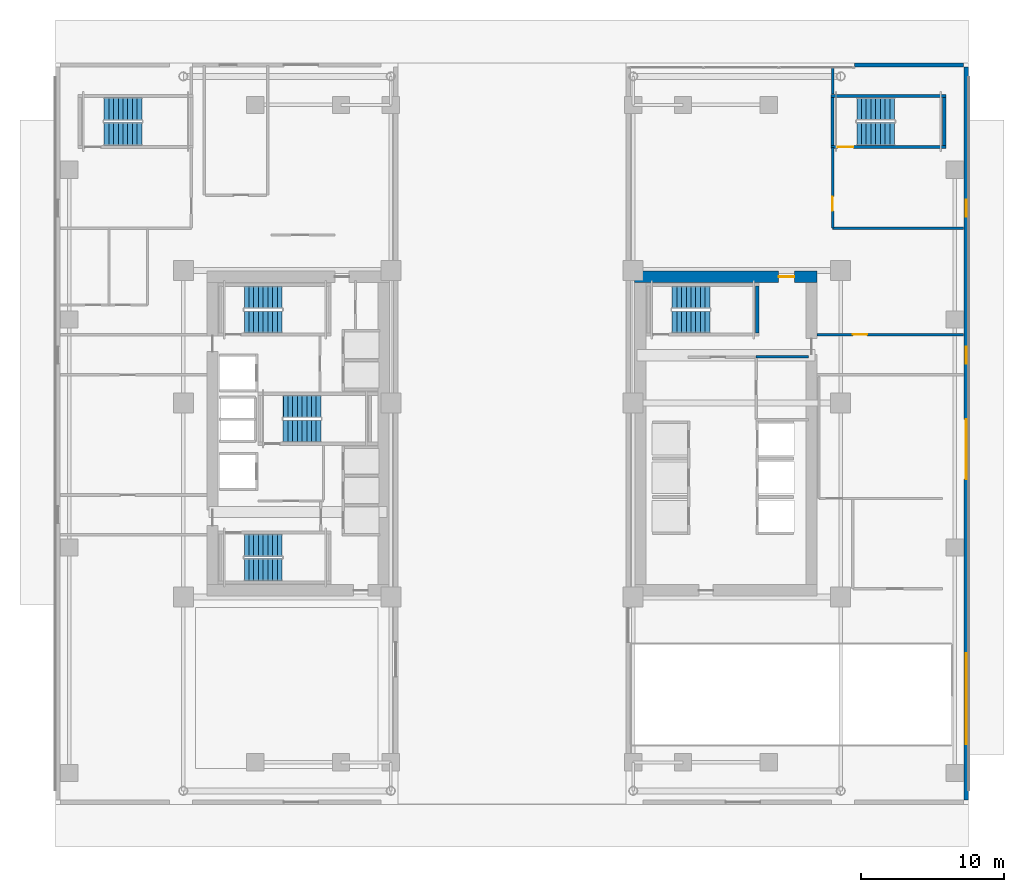
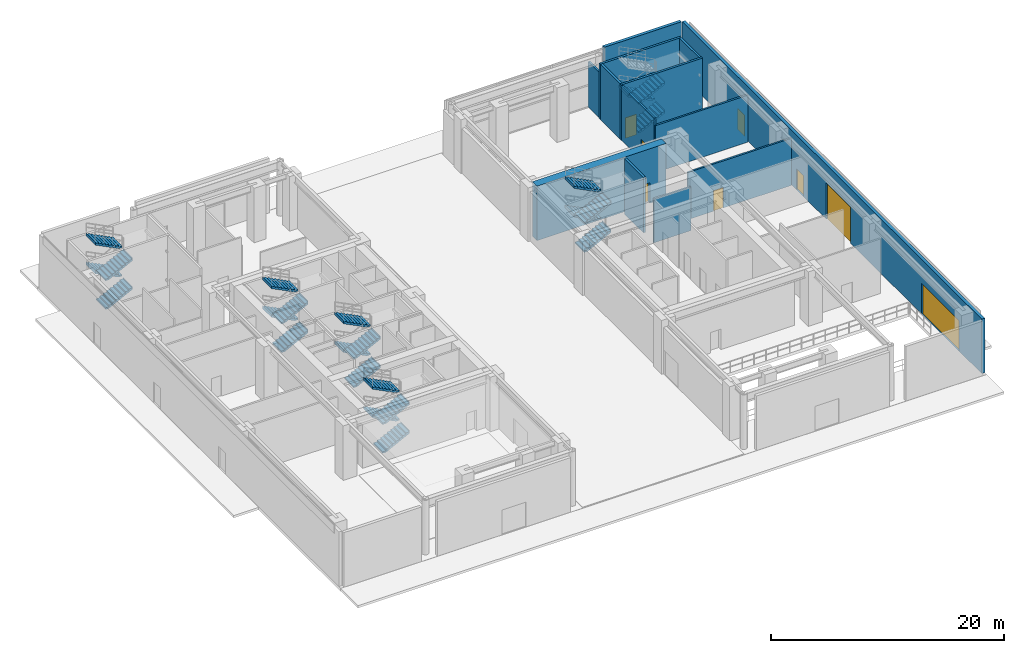
# One storey, part 8 of 17: 23 stair flights, 13 walls, 8 doors, 8 openings, 6 elements without a shape of their own.
"""IFC4 building model written with IfcOpenShell, lengths in metres."""

from ifc_helpers import new_model, si_unit, direction, frame, frame_2d, origin, place, context, subcontext, project, spatial, polyline, rectangle, outline, extrude, source, transform, mapped, material, layer, layer_set, type_object, element, fill, aggregate, save


model = new_model("IFC4")

# Units and contexts
model_context = context("Model", 3, precision=1e-05, world=origin(), true_north=direction((0.0, 1.0)))
body_context = subcontext(model_context, "Body", "Model", "MODEL_VIEW")
ifc_project = project(units=[si_unit("LENGTHUNIT", "METRE"), si_unit("AREAUNIT", "SQUARE_METRE"), si_unit("VOLUMEUNIT", "CUBIC_METRE"), si_unit("PLANEANGLEUNIT", "RADIAN"), si_unit("MASSUNIT", "GRAM", prefix="KILO")], contexts=[model_context])

# Site, building, storey
site_placement = place(None, origin())
site = spatial("IfcSite", under=ifc_project, at=site_placement, CompositionType="ELEMENT")
building_placement = place(site_placement, origin())
building = spatial("IfcBuilding", under=site, at=building_placement, Name="Ocotamira Hotel", CompositionType="ELEMENT")
storey_placement = place(building_placement, origin())
storey = spatial("IfcBuildingStorey", under=building, at=storey_placement, Name="L01", CompositionType="ELEMENT", Elevation=0.0)

# Wall, opening, door
ifc_material_1 = material(Name="Concrete C60/75", Category="concrete")
ifc_layer_1 = layer(ifc_material_1, 0.800048828125)
ifc_layer_set_1 = layer_set([ifc_layer_1], Name="Concrete C60/75")
wall_type_1 = type_object("IfcWallType", Name="WL-CORE-800", PredefinedType="SHEAR", material=ifc_layer_set_1)
wall_1_placement = place(storey_placement, frame((40.60009765625, 37.0, 0.0), z_axis=(0.0, 0.0, 1.0), x_axis=(1.0, 0.0, 0.0)))
wall_1 = element("IfcWall", 1, at=wall_1_placement, inside=storey, type_object=wall_type_1, Name="L01 Shear Core Wall ECORE-N", PredefinedType="SHEAR", context=body_context, shape_type="SweptSolid", body=[
    extrude(rectangle(XDim=12.7998046875, YDim=0.800048828125, at=frame_2d((6.39990234375, 0.0))), origin(), (0.0, 0.0, 1.0), 5.7099609375),
])
opening_1_placement = place(wall_1_placement, frame((10.10009765625, 0.0, 0.0)))
opening_1 = element("IfcOpeningElement", 2, at=opening_1_placement, cuts=wall_1, Name="Opening D-FR1", PredefinedType="OPENING", context=body_context, shape_type="SweptSolid", body=[
    extrude(rectangle(XDim=1.10009765625, YDim=2.14990234375, at=frame_2d((0.550048828125, 1.074951171875))), frame((0.0, 0.41015625, 0.0), z_axis=(0.0, -1.0, 0.0), x_axis=(1.0, 0.0, 0.0)), (0.0, 0.0, 1.0), 0.820068359375),
])
ifc_material_2 = material(Name="Fire-rated acoustic timber-veneer door", Category="wood")
door_type_1 = type_object("IfcDoorType", Name="DR-FIRE-1100", OperationType="NOTDEFINED", PredefinedType="DOOR", material=ifc_material_2)
shared_shape_1 = source(origin(), body_context, "Body", "SweptSolid", [
    extrude(rectangle(XDim=1.10009765625, YDim=2.14990234375, at=frame_2d((0.550048828125, 1.074951171875))), frame((0.0, 0.02490234375, 0.0), z_axis=(0.0, -1.0, 0.0), x_axis=(1.0, 0.0, 0.0)), (0.0, 0.0, 1.0), 0.050048828125),
])
door_1_placement = place(opening_1_placement, origin())
door_1 = element("IfcDoor", 3, at=door_1_placement, inside=storey, type_object=door_type_1, Name="L01 Door ID-L01-ELOB-N-D [ID-L01-ELOB-N-D]", OperationType="SINGLE_SWING_LEFT", OverallHeight=2.14990234375, OverallWidth=1.10009765625, PredefinedType="DOOR", context=body_context, shape_type="MappedRepresentation", body=[
    mapped(shared_shape_1, transform((0.0, 0.0, 0.0), scale=1.0)),
])
fill(opening_1, door_1)

# Wall, openings, doors
ifc_material_3 = material(Name="Travertine-clad precast concrete C45/55", Category="masonry")
ifc_layer_2 = layer(ifc_material_3, 0.300048828125)
ifc_layer_set_2 = layer_set([ifc_layer_2], Name="Travertine-clad precast concrete C45/55")
wall_type_2 = type_object("IfcWallType", Name="WL-EXT-POD-300", PredefinedType="SOLIDWALL", material=ifc_layer_set_2)
wall_2_placement = place(storey_placement, frame((63.85009765625, 51.699951171875, 0.0), z_axis=(0.0, 0.0, 1.0), x_axis=(0.0, -1.0, 0.0)))
wall_2 = element("IfcWall", 4, at=wall_2_placement, inside=storey, type_object=wall_type_2, Name="L01 East Podium Travertine Wall", PredefinedType="SOLIDWALL", context=body_context, shape_type="SweptSolid", body=[
    extrude(rectangle(XDim=51.39990234375, YDim=0.300048828125, at=frame_2d((25.699951171875, 0.0))), origin(), (0.0, 0.0, 1.0), 5.7099609375),
])
opening_2_placement = place(wall_2_placement, frame((41.10009765625, 0.0, 0.0)))
opening_2 = element("IfcOpeningElement", 5, at=opening_2_placement, cuts=wall_2, Name="Opening VG-01", PredefinedType="OPENING", context=body_context, shape_type="SweptSolid", body=[
    extrude(rectangle(XDim=6.39990234375, YDim=3.199951171875, at=frame_2d((3.199951171875, 1.60009765625))), frame((0.0, 0.16015625, 0.0), z_axis=(0.0, -1.0, 0.0), x_axis=(1.0, 0.0, 0.0)), (0.0, 0.0, 1.0), 0.320068359375),
])
opening_3_placement = place(wall_2_placement, frame((24.699951171875, 0.0, 0.0)))
opening_3 = element("IfcOpeningElement", 6, at=opening_3_placement, cuts=wall_2, Name="Opening DG-01", PredefinedType="OPENING", context=body_context, shape_type="SweptSolid", body=[
    extrude(rectangle(XDim=4.199951171875, YDim=3.800048828125, at=frame_2d((2.10009765625, 1.89990234375))), frame((0.0, 0.16015625, 0.0), z_axis=(0.0, -1.0, 0.0), x_axis=(1.0, 0.0, 0.0)), (0.0, 0.0, 1.0), 0.320068359375),
])
opening_4_placement = place(wall_2_placement, frame((19.60009765625, 0.0, 0.0)))
opening_4 = element("IfcOpeningElement", 7, at=opening_4_placement, cuts=wall_2, Name="Opening ED-2", PredefinedType="OPENING", context=body_context, shape_type="SweptSolid", body=[
    extrude(rectangle(XDim=1.199951171875, YDim=2.199951171875, at=frame_2d((0.60009765625, 1.10009765625))), frame((0.0, 0.16015625, 0.0), z_axis=(0.0, -1.0, 0.0), x_axis=(1.0, 0.0, 0.0)), (0.0, 0.0, 1.0), 0.320068359375),
])
opening_5_placement = place(wall_2_placement, frame((9.300048828125, 0.0, 0.0)))
opening_5 = element("IfcOpeningElement", 8, at=opening_5_placement, cuts=wall_2, Name="Opening ED-2", PredefinedType="OPENING", context=body_context, shape_type="SweptSolid", body=[
    extrude(rectangle(XDim=1.199951171875, YDim=2.199951171875, at=frame_2d((0.60009765625, 1.10009765625))), frame((0.0, 0.16015625, 0.0), z_axis=(0.0, -1.0, 0.0), x_axis=(1.0, 0.0, 0.0)), (0.0, 0.0, 1.0), 0.320068359375),
])
ifc_material_4 = material(Name="Insulated hollow metal steel door", Category="steel")
door_type_2 = type_object("IfcDoorType", Name="DR-EXIT-1200", OperationType="NOTDEFINED", PredefinedType="DOOR", material=ifc_material_4)
shared_shape_2 = source(origin(), body_context, "Body", "SweptSolid", [
    extrude(rectangle(XDim=1.199951171875, YDim=2.199951171875, at=frame_2d((0.60009765625, 1.10009765625))), frame((0.0, 0.02490234375, 0.0), z_axis=(0.0, -1.0, 0.0), x_axis=(1.0, 0.0, 0.0)), (0.0, 0.0, 1.0), 0.050048828125),
])
door_2_placement = place(opening_4_placement, origin())
door_2 = element("IfcDoor", 9, at=door_2_placement, inside=storey, type_object=door_type_2, Name="L01 Exit Stair ST-4 Street Discharge Door [ED-L01-ST4]", OperationType="SINGLE_SWING_LEFT", OverallHeight=2.199951171875, OverallWidth=1.199951171875, PredefinedType="DOOR", context=body_context, shape_type="MappedRepresentation", body=[
    mapped(shared_shape_2, transform((0.0, 0.0, 0.0), scale=1.0)),
])
fill(opening_4, door_2)
door_3_placement = place(opening_5_placement, origin())
door_3 = element("IfcDoor", 10, at=door_3_placement, inside=storey, type_object=door_type_2, Name="L01 Exit Stair ST-6 Street Discharge Door [ED-L01-ST6]", OperationType="SINGLE_SWING_RIGHT", OverallHeight=2.199951171875, OverallWidth=1.199951171875, PredefinedType="DOOR", context=body_context, shape_type="MappedRepresentation", body=[
    mapped(shared_shape_2, transform((0.0, 0.0, 0.0), scale=1.0)),
])
fill(opening_5, door_3)
ifc_material_5 = material(Name="Perforated pale-metal security shutter", Category="aluminium")
door_type_3 = type_object("IfcDoorType", Name="DR-GATE-6400", OperationType="NOTDEFINED", PredefinedType="GATE", material=ifc_material_5)
shared_shape_3 = source(origin(), body_context, "Body", "SweptSolid", [
    extrude(rectangle(XDim=6.39990234375, YDim=3.199951171875, at=frame_2d((3.199951171875, 1.60009765625))), frame((0.0, 0.02490234375, 0.0), z_axis=(0.0, -1.0, 0.0), x_axis=(1.0, 0.0, 0.0)), (0.0, 0.0, 1.0), 0.050048828125),
])
door_4_placement = place(opening_2_placement, origin())
door_4 = element("IfcDoor", 11, at=door_4_placement, inside=storey, type_object=door_type_3, Name="Vehicle Ramp Security Roller Shutter Gate VG-01 [VG-01]", OperationType="ROLLINGUP", OverallHeight=3.199951171875, OverallWidth=6.39990234375, PredefinedType="GATE", context=body_context, shape_type="MappedRepresentation", body=[
    mapped(shared_shape_3, transform((0.0, 0.0, 0.0), scale=1.0)),
])
fill(opening_2, door_4)
ifc_material_6 = material(Name="Insulated steel loading dock shutter", Category="steel")
door_type_4 = type_object("IfcDoorType", Name="DR-DOCK-4200", OperationType="NOTDEFINED", PredefinedType="GATE", material=ifc_material_6)
shared_shape_4 = source(origin(), body_context, "Body", "SweptSolid", [
    extrude(rectangle(XDim=4.199951171875, YDim=3.800048828125, at=frame_2d((2.10009765625, 1.89990234375))), frame((0.0, 0.02490234375, 0.0), z_axis=(0.0, -1.0, 0.0), x_axis=(1.0, 0.0, 0.0)), (0.0, 0.0, 1.0), 0.050048828125),
])
door_5_placement = place(opening_3_placement, origin())
door_5 = element("IfcDoor", 12, at=door_5_placement, inside=storey, type_object=door_type_4, Name="L01 Service Loading Bay Shutter Gate [ED-L01-DOCK]", OperationType="ROLLINGUP", OverallHeight=3.800048828125, OverallWidth=4.199951171875, PredefinedType="GATE", context=body_context, shape_type="MappedRepresentation", body=[
    mapped(shared_shape_4, transform((0.0, 0.0, 0.0), scale=1.0)),
])
fill(opening_3, door_5)

# Walls
wall_3_placement = place(storey_placement, frame((56.0, 51.85009765625, 0.0), z_axis=(0.0, 0.0, 1.0), x_axis=(1.0, 0.0, 0.0)))
element("IfcWall", 13, at=wall_3_placement, inside=storey, type_object=wall_type_2, Name="L01 N-East Podium Wall", PredefinedType="SOLIDWALL", context=body_context, shape_type="SweptSolid", body=[
    extrude(rectangle(XDim=7.64990234375, YDim=0.300048828125, at=frame_2d((3.824951171875, 0.0))), origin(), (0.0, 0.0, 1.0), 5.7099609375),
])
ifc_material_7 = material(Name="Acoustic double-layer fire gypsum board partition", Category="gypsum")
ifc_layer_3 = layer(ifc_material_7, 0.159912109375)
ifc_layer_set_3 = layer_set([ifc_layer_3], Name="Acoustic double-layer fire gypsum board partition")
wall_type_3 = type_object("IfcWallType", Name="WL-FIRE-160", PredefinedType="PARTITIONING", material=ifc_layer_set_3)
wall_4_placement = place(storey_placement, frame((49.1201171875, 31.3798828125, 0.0), z_axis=(0.0, 0.0, 1.0), x_axis=(1.0, 0.0, 0.0)))
element("IfcWall", 14, at=wall_4_placement, inside=storey, type_object=wall_type_3, Name="L01 Interior Wall PW-L01-EC-NEL-N", PredefinedType="PARTITIONING", context=body_context, shape_type="SweptSolid", body=[
    extrude(rectangle(XDim=3.679931640625, YDim=0.159912109375, at=frame_2d((1.83984375, 0.0))), origin(), (0.0, 0.0, 1.0), 4.610107421875),
])

# Wall, opening, door
ifc_material_8 = material(Name="Fire-rated gypsum shaftliner board assembly", Category="gypsum")
ifc_layer_4 = layer(ifc_material_8, 0.179931640625)
ifc_layer_set_4 = layer_set([ifc_layer_4], Name="Fire-rated gypsum shaftliner board assembly")
wall_type_4 = type_object("IfcWallType", Name="WL-SHAFT-180", PredefinedType="SOLIDWALL", material=ifc_layer_set_4)
wall_5_placement = place(storey_placement, frame((53.39990234375, 32.93994140625, 0.0), z_axis=(0.0, 0.0, 1.0), x_axis=(1.0, 0.0, 0.0)))
wall_5 = element("IfcWall", 15, at=wall_5_placement, inside=storey, type_object=wall_type_4, Name="L01 Interior Wall PW-L01-L01-EXP4-N", PredefinedType="SOLIDWALL", context=body_context, shape_type="SweptSolid", body=[
    extrude(rectangle(XDim=10.25, YDim=0.179931640625, at=frame_2d((5.125, 0.0))), origin(), (0.0, 0.0, 1.0), 4.930908203125),
])
opening_6_placement = place(wall_5_placement, frame((2.5, 0.0, 0.0)))
opening_6 = element("IfcOpeningElement", 16, at=opening_6_placement, cuts=wall_5, Name="Opening D-FR2", PredefinedType="OPENING", context=body_context, shape_type="SweptSolid", body=[
    extrude(rectangle(XDim=1.0, YDim=2.14990234375, at=frame_2d((0.5, 1.074951171875))), frame((0.0, 0.10009765625, 0.0), z_axis=(0.0, -1.0, 0.0), x_axis=(1.0, 0.0, 0.0)), (0.0, 0.0, 1.0), 0.199951171875),
])
door_type_5 = type_object("IfcDoorType", Name="DR-FIRE-1000", OperationType="NOTDEFINED", PredefinedType="DOOR", material=ifc_material_2)
shared_shape_5 = source(origin(), body_context, "Body", "SweptSolid", [
    extrude(rectangle(XDim=1.0, YDim=2.14990234375, at=frame_2d((0.5, 1.074951171875))), frame((0.0, 0.02490234375, 0.0), z_axis=(0.0, -1.0, 0.0), x_axis=(1.0, 0.0, 0.0)), (0.0, 0.0, 1.0), 0.050048828125),
])
door_6_placement = place(opening_6_placement, origin())
door_6 = element("IfcDoor", 17, at=door_6_placement, inside=storey, type_object=door_type_5, Name="L01 Door ID-L01-L01-EXP4-CD [ID-L01-L01-EXP4-CD]", OperationType="SINGLE_SWING_RIGHT", OverallHeight=2.14990234375, OverallWidth=1.0, PredefinedType="DOOR", context=body_context, shape_type="MappedRepresentation", body=[
    mapped(shared_shape_5, transform((0.0, 0.0, 0.0), scale=1.0)),
])
fill(opening_6, door_6)

# Wall
wall_6_placement = place(storey_placement, frame((54.47998046875, 40.409912109375, 0.0), z_axis=(0.0, 0.0, 1.0), x_axis=(1.0, 0.0, 0.0)))
element("IfcWall", 18, at=wall_6_placement, inside=storey, type_object=wall_type_4, Name="L01 Interior Wall PW-L01-L01-EXP6-S", PredefinedType="SOLIDWALL", context=body_context, shape_type="SweptSolid", body=[
    extrude(rectangle(XDim=9.169921875, YDim=0.179931640625, at=frame_2d((4.5849609375, 0.0))), origin(), (0.0, 0.0, 1.0), 4.930908203125),
])

# Wall, opening, door
wall_7_placement = place(storey_placement, frame((54.47998046875, 40.409912109375, 0.0), z_axis=(0.0, 0.0, 1.0), x_axis=(0.0, 1.0, 0.0)))
wall_7 = element("IfcWall", 19, at=wall_7_placement, inside=storey, type_object=wall_type_4, Name="L01 Interior Wall PW-L01-L01-EXP6-W", PredefinedType="SOLIDWALL", context=body_context, shape_type="SweptSolid", body=[
    extrude(rectangle(XDim=5.64013671875, YDim=0.179931640625, at=frame_2d((2.820068359375, 0.0))), origin(), (0.0, 0.0, 1.0), 5.7099609375),
])
opening_7_placement = place(wall_7_placement, frame((1.199951171875, 0.0, 0.0)))
opening_7 = element("IfcOpeningElement", 20, at=opening_7_placement, cuts=wall_7, Name="Opening D-FR2", PredefinedType="OPENING", context=body_context, shape_type="SweptSolid", body=[
    extrude(rectangle(XDim=1.0, YDim=2.14990234375, at=frame_2d((0.5, 1.074951171875))), frame((0.0, 0.10009765625, 0.0), z_axis=(0.0, -1.0, 0.0), x_axis=(1.0, 0.0, 0.0)), (0.0, 0.0, 1.0), 0.199951171875),
])
door_7_placement = place(opening_7_placement, origin())
door_7 = element("IfcDoor", 21, at=door_7_placement, inside=storey, type_object=door_type_5, Name="L01 Door ID-L01-L01-EXP6-CD [ID-L01-L01-EXP6-CD]", OperationType="SINGLE_SWING_RIGHT", OverallHeight=2.14990234375, OverallWidth=1.0, PredefinedType="DOOR", context=body_context, shape_type="MappedRepresentation", body=[
    mapped(shared_shape_5, transform((0.0, 0.0, 0.0), scale=1.0)),
])
fill(opening_7, door_7)

# Walls
wall_8_placement = place(storey_placement, frame((54.47998046875, 49.820068359375, 0.0), z_axis=(0.0, 0.0, 1.0), x_axis=(0.0, 1.0, 0.0)))
element("IfcWall", 22, at=wall_8_placement, inside=storey, type_object=wall_type_4, Name="L01 Interior Wall PW-L01-L01-EXP6-WN", PredefinedType="SOLIDWALL", context=body_context, shape_type="SweptSolid", body=[
    extrude(rectangle(XDim=1.8798828125, YDim=0.179931640625, at=frame_2d((0.93994140625, 0.0))), origin(), (0.0, 0.0, 1.0), 4.782958984375),
])
ifc_material_9 = material(Name="Concrete C50/60", Category="concrete")
ifc_layer_5 = layer(ifc_material_9, 0.219970703125)
ifc_layer_set_5 = layer_set([ifc_layer_5], Name="Concrete C50/60")
wall_type_5 = type_object("IfcWallType", Name="WL-STAIR-220", PredefinedType="SHEAR", material=ifc_layer_set_5)
wall_9_placement = place(storey_placement, frame((49.199951171875, 33.050048828125, 0.0), z_axis=(0.0, 0.0, 1.0), x_axis=(0.0, 1.0, 0.0)))
element("IfcWall", 23, at=wall_9_placement, inside=storey, type_object=wall_type_5, Name="L01 Stair Shaft Structural Wall ST-4-E", PredefinedType="SHEAR", context=body_context, shape_type="SweptSolid", body=[
    extrude(rectangle(XDim=3.280029296875, YDim=0.219970703125, at=frame_2d((1.64013671875, 0.0))), origin(), (0.0, 0.0, 1.0), 5.800048828125),
])

# Wall, opening, door
wall_10_placement = place(storey_placement, frame((54.360107421875, 46.090087890625, 0.0), z_axis=(0.0, 0.0, 1.0), x_axis=(1.0, 0.0, 0.0)))
wall_10 = element("IfcWall", 24, at=wall_10_placement, inside=storey, type_object=wall_type_5, Name="L01 Stair Shaft Structural Wall ST-6-S", PredefinedType="SHEAR", context=body_context, shape_type="SweptSolid", body=[
    extrude(rectangle(XDim=8.059814453125, YDim=0.219970703125, at=frame_2d((4.02978515625, 0.0))), origin(), (0.0, 0.0, 1.0), 5.800048828125),
])
opening_8_placement = place(wall_10_placement, frame((0.469970703125, 0.0, 0.0)))
opening_8 = element("IfcOpeningElement", 25, at=opening_8_placement, cuts=wall_10, Name="Opening D-ST1", PredefinedType="OPENING", context=body_context, shape_type="SweptSolid", body=[
    extrude(rectangle(XDim=1.10009765625, YDim=2.14990234375, at=frame_2d((0.550048828125, 1.074951171875))), frame((0.0, 0.1201171875, 0.0), z_axis=(0.0, -1.0, 0.0), x_axis=(1.0, 0.0, 0.0)), (0.0, 0.0, 1.0), 0.239990234375),
])
ifc_material_10 = material(Name="Insulated painted hollow-metal fire exit door", Category="steel")
door_type_6 = type_object("IfcDoorType", Name="DR-STAIR-1100", OperationType="NOTDEFINED", PredefinedType="DOOR", material=ifc_material_10)
door_8_placement = place(opening_8_placement, origin())
door_8 = element("IfcDoor", 26, at=door_8_placement, inside=storey, type_object=door_type_6, Name="L01 Door ID-L01-STD-ST-6 [ID-L01-STD-ST-6]", OperationType="SINGLE_SWING_LEFT", OverallHeight=2.14990234375, OverallWidth=1.10009765625, PredefinedType="DOOR", context=body_context, shape_type="MappedRepresentation", body=[
    mapped(shared_shape_1, transform((0.0, 0.0, 0.0), scale=1.0)),
])
fill(opening_8, door_8)

# Walls
wall_11_placement = place(storey_placement, frame((54.360107421875, 49.669921875, 0.0), z_axis=(0.0, 0.0, 1.0), x_axis=(1.0, 0.0, 0.0)))
element("IfcWall", 27, at=wall_11_placement, inside=storey, type_object=wall_type_5, Name="L01 Stair Shaft Structural Wall ST-6-N", PredefinedType="SHEAR", context=body_context, shape_type="SweptSolid", body=[
    extrude(rectangle(XDim=8.059814453125, YDim=0.219970703125, at=frame_2d((4.02978515625, 0.0))), origin(), (0.0, 0.0, 1.0), 5.800048828125),
])
for number, where, z_axis, x_axis, name in (
    (28, (54.469970703125, 46.199951171875, 0.0), (0.0, 0.0, 1.0), (0.0, 1.0, 0.0), "L01 Stair Shaft Structural Wall ST-6-W"),
    (29, (62.31005859375, 46.199951171875, 0.0), (0.0, 0.0, 1.0), (0.0, 1.0, 0.0), "L01 Stair Shaft Structural Wall ST-6-E"),
):
    element("IfcWall", number, at=place(storey_placement, frame(where, z_axis=z_axis, x_axis=x_axis)), inside=storey, type_object=wall_type_5, Name=name, PredefinedType="SHEAR", context=body_context, shape_type="SweptSolid", body=[
        extrude(rectangle(XDim=3.360107421875, YDim=0.219970703125, at=frame_2d((1.68017578125, 0.0))), origin(), (0.0, 0.0, 1.0), 5.800048828125),
    ])

# Stair, stair flights
ifc_material_11 = material(Name="Concrete C40/50", Category="concrete")
stair_type_1 = type_object("IfcStairType", Name="ST-CORE-1560", PredefinedType="HALF_TURN_STAIR", material=ifc_material_11)
stair_1_placement = place(storey_placement, origin())
stair_1 = element("IfcStair", 30, at=stair_1_placement, inside=storey, type_object=stair_type_1, Name="L01 Exit Stair ST-1", PredefinedType="HALF_TURN_STAIR")
stair_flight_type_1 = type_object("IfcStairFlightType", Name="STF-CORE-1560", PredefinedType="STRAIGHT", material=ifc_material_11)
shared_shape_6 = source(origin(), body_context, "Body", "SweptSolid", [
    extrude(outline(polyline([(-0.00390625, 0.0), (-0.00390625, 0.166748046875), (0.330078125, 0.166748046875), (0.330078125, 0.333251953125), (0.659912109375, 0.333251953125), (0.659912109375, 0.5), (0.989990234375, 0.5), (0.989990234375, 0.666748046875), (1.320068359375, 0.666748046875), (1.320068359375, 0.833251953125), (1.64990234375, 0.833251953125), (1.64990234375, 1.0), (1.97998046875, 1.0), (1.97998046875, 1.166748046875), (2.31005859375, 1.166748046875), (2.31005859375, 1.333251953125), (2.639892578125, 1.333251953125), (2.639892578125, 1.5), (2.64404296875, 1.5), (2.64404296875, 1.165283203125), (0.33251953125, 0.0), (-0.00390625, 0.0)])), frame((0.0, 0.780029296875, 0.0), z_axis=(0.0, -1.0, 0.0), x_axis=(1.0, 0.0, 0.0)), (0.0, 0.0, 1.0), 1.56005859375),
])
stair_flight_1_placement = place(storey_placement, frame((13.22998046875, 16.449951171875, 0.0), z_axis=(0.0, 0.0, 1.0), x_axis=(1.0, 0.0, 0.0)))
stair_flight_1 = element("IfcStairFlight", 31, at=stair_flight_1_placement, type_object=stair_flight_type_1, Name="ST-1 flight 1", NumberOfRisers=9, NumberOfTreads=8, PredefinedType="STRAIGHT", RiserHeight=0.166666667, TreadLength=0.33, context=body_context, shape_type="MappedRepresentation", body=[
    mapped(shared_shape_6, transform((0.0, 0.0, 0.0), scale=1.0)),
])
stair_flight_2_placement = place(storey_placement, frame((15.8701171875, 18.169921875, 1.5), z_axis=(0.0, 0.0, 1.0), x_axis=(-1.0, 0.0, 0.0)))
stair_flight_2 = element("IfcStairFlight", 32, at=stair_flight_2_placement, type_object=stair_flight_type_1, Name="ST-1 flight 2", NumberOfRisers=9, NumberOfTreads=8, PredefinedType="STRAIGHT", RiserHeight=0.166666667, TreadLength=0.33, context=body_context, shape_type="MappedRepresentation", body=[
    mapped(shared_shape_6, transform((0.0, 0.0, 0.0), scale=1.0)),
])
stair_flight_3_placement = place(storey_placement, frame((13.22998046875, 16.449951171875, 3.0), z_axis=(0.0, 0.0, 1.0), x_axis=(1.0, 0.0, 0.0)))
stair_flight_3 = element("IfcStairFlight", 33, at=stair_flight_3_placement, type_object=stair_flight_type_1, Name="ST-1 flight 3", NumberOfRisers=9, NumberOfTreads=8, PredefinedType="STRAIGHT", RiserHeight=0.166666667, TreadLength=0.33, context=body_context, shape_type="MappedRepresentation", body=[
    mapped(shared_shape_6, transform((0.0, 0.0, 0.0), scale=1.0)),
])
stair_flight_4_placement = place(storey_placement, frame((15.8701171875, 18.169921875, 4.5), z_axis=(0.0, 0.0, 1.0), x_axis=(-1.0, 0.0, 0.0)))
stair_flight_4 = element("IfcStairFlight", 34, at=stair_flight_4_placement, type_object=stair_flight_type_1, Name="ST-1 flight 4", NumberOfRisers=9, NumberOfTreads=8, PredefinedType="STRAIGHT", RiserHeight=0.166666667, TreadLength=0.33, context=body_context, shape_type="MappedRepresentation", body=[
    mapped(shared_shape_6, transform((0.0, 0.0, 0.0), scale=1.0)),
])
aggregate(stair_1, [stair_flight_1, stair_flight_2, stair_flight_3, stair_flight_4])

stair_2_placement = place(storey_placement, origin())
stair_2 = element("IfcStair", 35, at=stair_2_placement, inside=storey, type_object=stair_type_1, Name="L01 Exit Stair ST-2", PredefinedType="HALF_TURN_STAIR")
stair_flight_5_placement = place(storey_placement, frame((13.22998046875, 33.830078125, 0.0), z_axis=(0.0, 0.0, 1.0), x_axis=(1.0, 0.0, 0.0)))
stair_flight_5 = element("IfcStairFlight", 36, at=stair_flight_5_placement, type_object=stair_flight_type_1, Name="ST-2 flight 1", NumberOfRisers=9, NumberOfTreads=8, PredefinedType="STRAIGHT", RiserHeight=0.166666667, TreadLength=0.33, context=body_context, shape_type="MappedRepresentation", body=[
    mapped(shared_shape_6, transform((0.0, 0.0, 0.0), scale=1.0)),
])
stair_flight_6_placement = place(storey_placement, frame((15.8701171875, 35.550048828125, 1.5), z_axis=(0.0, 0.0, 1.0), x_axis=(-1.0, 0.0, 0.0)))
stair_flight_6 = element("IfcStairFlight", 37, at=stair_flight_6_placement, type_object=stair_flight_type_1, Name="ST-2 flight 2", NumberOfRisers=9, NumberOfTreads=8, PredefinedType="STRAIGHT", RiserHeight=0.166666667, TreadLength=0.33, context=body_context, shape_type="MappedRepresentation", body=[
    mapped(shared_shape_6, transform((0.0, 0.0, 0.0), scale=1.0)),
])
stair_flight_7_placement = place(storey_placement, frame((13.22998046875, 33.830078125, 3.0), z_axis=(0.0, 0.0, 1.0), x_axis=(1.0, 0.0, 0.0)))
stair_flight_7 = element("IfcStairFlight", 38, at=stair_flight_7_placement, type_object=stair_flight_type_1, Name="ST-2 flight 3", NumberOfRisers=9, NumberOfTreads=8, PredefinedType="STRAIGHT", RiserHeight=0.166666667, TreadLength=0.33, context=body_context, shape_type="MappedRepresentation", body=[
    mapped(shared_shape_6, transform((0.0, 0.0, 0.0), scale=1.0)),
])
stair_flight_8_placement = place(storey_placement, frame((15.8701171875, 35.550048828125, 4.5), z_axis=(0.0, 0.0, 1.0), x_axis=(-1.0, 0.0, 0.0)))
stair_flight_8 = element("IfcStairFlight", 39, at=stair_flight_8_placement, type_object=stair_flight_type_1, Name="ST-2 flight 4", NumberOfRisers=9, NumberOfTreads=8, PredefinedType="STRAIGHT", RiserHeight=0.166666667, TreadLength=0.33, context=body_context, shape_type="MappedRepresentation", body=[
    mapped(shared_shape_6, transform((0.0, 0.0, 0.0), scale=1.0)),
])
aggregate(stair_2, [stair_flight_5, stair_flight_6, stair_flight_7, stair_flight_8])

stair_3_placement = place(storey_placement, origin())
stair_3 = element("IfcStair", 40, at=stair_3_placement, inside=storey, type_object=stair_type_1, Name="L01 Exit Stair ST-3", PredefinedType="HALF_TURN_STAIR")
stair_flight_9_placement = place(storey_placement, frame((15.9599609375, 26.179931640625, 0.0), z_axis=(0.0, 0.0, 1.0), x_axis=(1.0, 0.0, 0.0)))
stair_flight_9 = element("IfcStairFlight", 41, at=stair_flight_9_placement, type_object=stair_flight_type_1, Name="ST-3 flight 1", NumberOfRisers=9, NumberOfTreads=8, PredefinedType="STRAIGHT", RiserHeight=0.166666667, TreadLength=0.33, context=body_context, shape_type="MappedRepresentation", body=[
    mapped(shared_shape_6, transform((0.0, 0.0, 0.0), scale=1.0)),
])
stair_flight_10_placement = place(storey_placement, frame((18.60009765625, 27.89990234375, 1.5), z_axis=(0.0, 0.0, 1.0), x_axis=(-1.0, 0.0, 0.0)))
stair_flight_10 = element("IfcStairFlight", 42, at=stair_flight_10_placement, type_object=stair_flight_type_1, Name="ST-3 flight 2", NumberOfRisers=9, NumberOfTreads=8, PredefinedType="STRAIGHT", RiserHeight=0.166666667, TreadLength=0.33, context=body_context, shape_type="MappedRepresentation", body=[
    mapped(shared_shape_6, transform((0.0, 0.0, 0.0), scale=1.0)),
])
stair_flight_11_placement = place(storey_placement, frame((15.9599609375, 26.179931640625, 3.0), z_axis=(0.0, 0.0, 1.0), x_axis=(1.0, 0.0, 0.0)))
stair_flight_11 = element("IfcStairFlight", 43, at=stair_flight_11_placement, type_object=stair_flight_type_1, Name="ST-3 flight 3", NumberOfRisers=9, NumberOfTreads=8, PredefinedType="STRAIGHT", RiserHeight=0.166666667, TreadLength=0.33, context=body_context, shape_type="MappedRepresentation", body=[
    mapped(shared_shape_6, transform((0.0, 0.0, 0.0), scale=1.0)),
])
stair_flight_12_placement = place(storey_placement, frame((18.60009765625, 27.89990234375, 4.5), z_axis=(0.0, 0.0, 1.0), x_axis=(-1.0, 0.0, 0.0)))
stair_flight_12 = element("IfcStairFlight", 44, at=stair_flight_12_placement, type_object=stair_flight_type_1, Name="ST-3 flight 4", NumberOfRisers=9, NumberOfTreads=8, PredefinedType="STRAIGHT", RiserHeight=0.166666667, TreadLength=0.33, context=body_context, shape_type="MappedRepresentation", body=[
    mapped(shared_shape_6, transform((0.0, 0.0, 0.0), scale=1.0)),
])
aggregate(stair_3, [stair_flight_9, stair_flight_10, stair_flight_11, stair_flight_12])

stair_4_placement = place(storey_placement, origin())
stair_4 = element("IfcStair", 45, at=stair_4_placement, inside=storey, type_object=stair_type_1, Name="L01 Exit Stair ST-4", PredefinedType="HALF_TURN_STAIR")
stair_flight_13_placement = place(storey_placement, frame((43.22998046875, 33.830078125, 0.0), z_axis=(0.0, 0.0, 1.0), x_axis=(1.0, 0.0, 0.0)))
stair_flight_13 = element("IfcStairFlight", 46, at=stair_flight_13_placement, type_object=stair_flight_type_1, Name="ST-4 flight 1", NumberOfRisers=9, NumberOfTreads=8, PredefinedType="STRAIGHT", RiserHeight=0.166666667, TreadLength=0.33, context=body_context, shape_type="MappedRepresentation", body=[
    mapped(shared_shape_6, transform((0.0, 0.0, 0.0), scale=1.0)),
])
stair_flight_14_placement = place(storey_placement, frame((45.8701171875, 35.550048828125, 1.5), z_axis=(0.0, 0.0, 1.0), x_axis=(-1.0, 0.0, 0.0)))
stair_flight_14 = element("IfcStairFlight", 47, at=stair_flight_14_placement, type_object=stair_flight_type_1, Name="ST-4 flight 2", NumberOfRisers=9, NumberOfTreads=8, PredefinedType="STRAIGHT", RiserHeight=0.166666667, TreadLength=0.33, context=body_context, shape_type="MappedRepresentation", body=[
    mapped(shared_shape_6, transform((0.0, 0.0, 0.0), scale=1.0)),
])
stair_flight_15_placement = place(storey_placement, frame((43.22998046875, 33.830078125, 3.0), z_axis=(0.0, 0.0, 1.0), x_axis=(1.0, 0.0, 0.0)))
stair_flight_15 = element("IfcStairFlight", 48, at=stair_flight_15_placement, type_object=stair_flight_type_1, Name="ST-4 flight 3", NumberOfRisers=9, NumberOfTreads=8, PredefinedType="STRAIGHT", RiserHeight=0.166666667, TreadLength=0.33, context=body_context, shape_type="MappedRepresentation", body=[
    mapped(shared_shape_6, transform((0.0, 0.0, 0.0), scale=1.0)),
])
stair_flight_16_placement = place(storey_placement, frame((45.8701171875, 35.550048828125, 4.5), z_axis=(0.0, 0.0, 1.0), x_axis=(-1.0, 0.0, 0.0)))
stair_flight_16 = element("IfcStairFlight", 49, at=stair_flight_16_placement, type_object=stair_flight_type_1, Name="ST-4 flight 4", NumberOfRisers=9, NumberOfTreads=8, PredefinedType="STRAIGHT", RiserHeight=0.166666667, TreadLength=0.33, context=body_context, shape_type="MappedRepresentation", body=[
    mapped(shared_shape_6, transform((0.0, 0.0, 0.0), scale=1.0)),
])
aggregate(stair_4, [stair_flight_13, stair_flight_14, stair_flight_15, stair_flight_16])

stair_type_2 = type_object("IfcStairType", Name="ST-POD-1600", PredefinedType="HALF_TURN_STAIR", material=ifc_material_11)
stair_5_placement = place(storey_placement, origin())
stair_5 = element("IfcStair", 50, at=stair_5_placement, inside=storey, type_object=stair_type_2, Name="L01 Exit Stair ST-5", PredefinedType="HALF_TURN_STAIR")
stair_flight_type_2 = type_object("IfcStairFlightType", Name="STF-POD-1600", PredefinedType="STRAIGHT", material=ifc_material_11)
shared_shape_7 = source(origin(), body_context, "Body", "SweptSolid", [
    extrude(outline(polyline([(-0.00390625, 0.0), (-0.00390625, 0.166748046875), (0.330078125, 0.166748046875), (0.330078125, 0.333251953125), (0.659912109375, 0.333251953125), (0.659912109375, 0.5), (0.989990234375, 0.5), (0.989990234375, 0.666748046875), (1.320068359375, 0.666748046875), (1.320068359375, 0.833251953125), (1.64990234375, 0.833251953125), (1.64990234375, 1.0), (1.97998046875, 1.0), (1.97998046875, 1.166748046875), (2.31005859375, 1.166748046875), (2.31005859375, 1.333251953125), (2.639892578125, 1.333251953125), (2.639892578125, 1.5), (2.64404296875, 1.5), (2.64404296875, 1.165283203125), (0.33251953125, 0.0), (-0.00390625, 0.0)])), frame((0.0, 0.800048828125, 0.0), z_axis=(0.0, -1.0, 0.0), x_axis=(1.0, 0.0, 0.0)), (0.0, 0.0, 1.0), 1.60009765625),
])
stair_flight_17_placement = place(storey_placement, frame((3.39990234375, 47.0, 0.0), z_axis=(0.0, 0.0, 1.0), x_axis=(1.0, 0.0, 0.0)))
stair_flight_17 = element("IfcStairFlight", 51, at=stair_flight_17_placement, type_object=stair_flight_type_2, Name="ST-5 flight 1", NumberOfRisers=9, NumberOfTreads=8, PredefinedType="STRAIGHT", RiserHeight=0.166666667, TreadLength=0.33, context=body_context, shape_type="MappedRepresentation", body=[
    mapped(shared_shape_7, transform((0.0, 0.0, 0.0), scale=1.0)),
])
stair_flight_18_placement = place(storey_placement, frame((6.0400390625, 48.760009765625, 1.5), z_axis=(0.0, 0.0, 1.0), x_axis=(-1.0, 0.0, 0.0)))
stair_flight_18 = element("IfcStairFlight", 52, at=stair_flight_18_placement, type_object=stair_flight_type_2, Name="ST-5 flight 2", NumberOfRisers=9, NumberOfTreads=8, PredefinedType="STRAIGHT", RiserHeight=0.166666667, TreadLength=0.33, context=body_context, shape_type="MappedRepresentation", body=[
    mapped(shared_shape_7, transform((0.0, 0.0, 0.0), scale=1.0)),
])
stair_flight_19_placement = place(storey_placement, frame((3.39990234375, 47.0, 3.0), z_axis=(0.0, 0.0, 1.0), x_axis=(1.0, 0.0, 0.0)))
stair_flight_19 = element("IfcStairFlight", 53, at=stair_flight_19_placement, type_object=stair_flight_type_2, Name="ST-5 flight 3", NumberOfRisers=9, NumberOfTreads=8, PredefinedType="STRAIGHT", RiserHeight=0.166666667, TreadLength=0.33, context=body_context, shape_type="MappedRepresentation", body=[
    mapped(shared_shape_7, transform((0.0, 0.0, 0.0), scale=1.0)),
])
stair_flight_20_placement = place(storey_placement, frame((6.0400390625, 48.760009765625, 4.5), z_axis=(0.0, 0.0, 1.0), x_axis=(-1.0, 0.0, 0.0)))
stair_flight_20 = element("IfcStairFlight", 54, at=stair_flight_20_placement, type_object=stair_flight_type_2, Name="ST-5 flight 4", NumberOfRisers=9, NumberOfTreads=8, PredefinedType="STRAIGHT", RiserHeight=0.166666667, TreadLength=0.33, context=body_context, shape_type="MappedRepresentation", body=[
    mapped(shared_shape_7, transform((0.0, 0.0, 0.0), scale=1.0)),
])
aggregate(stair_5, [stair_flight_17, stair_flight_18, stair_flight_19, stair_flight_20])

stair_6_placement = place(storey_placement, origin())
stair_6 = element("IfcStair", 55, at=stair_6_placement, inside=storey, type_object=stair_type_2, Name="L01 Exit Stair ST-6", PredefinedType="HALF_TURN_STAIR")
stair_flight_21_placement = place(storey_placement, frame((56.179931640625, 47.0, 0.0), z_axis=(0.0, 0.0, 1.0), x_axis=(1.0, 0.0, 0.0)))
stair_flight_21 = element("IfcStairFlight", 56, at=stair_flight_21_placement, type_object=stair_flight_type_2, Name="ST-6 flight 1", NumberOfRisers=9, NumberOfTreads=8, PredefinedType="STRAIGHT", RiserHeight=0.166666667, TreadLength=0.33, context=body_context, shape_type="MappedRepresentation", body=[
    mapped(shared_shape_7, transform((0.0, 0.0, 0.0), scale=1.0)),
])
stair_flight_22_placement = place(storey_placement, frame((58.820068359375, 48.760009765625, 1.5), z_axis=(0.0, 0.0, 1.0), x_axis=(-1.0, 0.0, 0.0)))
stair_flight_22 = element("IfcStairFlight", 57, at=stair_flight_22_placement, type_object=stair_flight_type_2, Name="ST-6 flight 2", NumberOfRisers=9, NumberOfTreads=8, PredefinedType="STRAIGHT", RiserHeight=0.166666667, TreadLength=0.33, context=body_context, shape_type="MappedRepresentation", body=[
    mapped(shared_shape_7, transform((0.0, 0.0, 0.0), scale=1.0)),
])
stair_flight_23_placement = place(storey_placement, frame((56.179931640625, 47.0, 3.0), z_axis=(0.0, 0.0, 1.0), x_axis=(1.0, 0.0, 0.0)))
stair_flight_23 = element("IfcStairFlight", 58, at=stair_flight_23_placement, type_object=stair_flight_type_2, Name="ST-6 flight 3", NumberOfRisers=9, NumberOfTreads=8, PredefinedType="STRAIGHT", RiserHeight=0.166666667, TreadLength=0.33, context=body_context, shape_type="MappedRepresentation", body=[
    mapped(shared_shape_7, transform((0.0, 0.0, 0.0), scale=1.0)),
])
aggregate(stair_6, [stair_flight_21, stair_flight_22, stair_flight_23])

save(model, "model.ifc")
